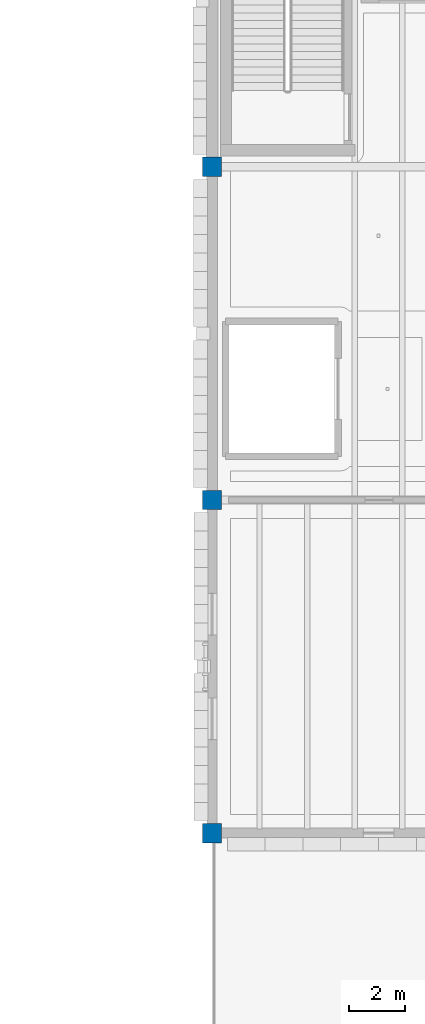
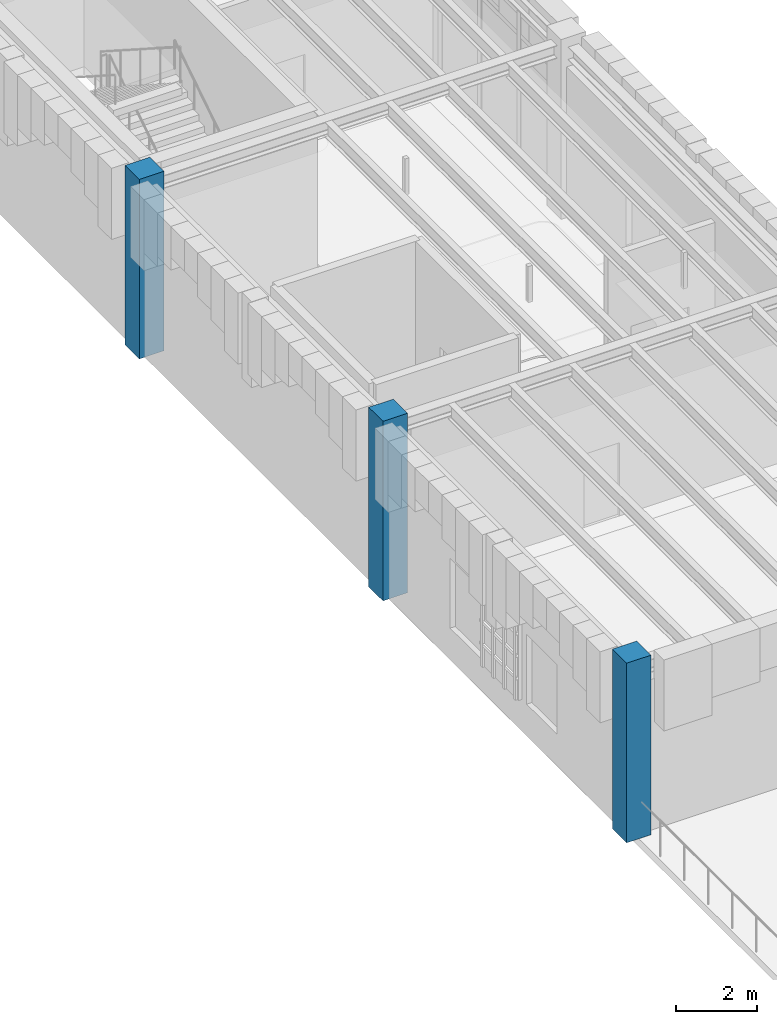
# One storey, part 3 of 100: 3 columns.
"""IFC4 building model written with IfcOpenShell, lengths in metres."""

from ifc_helpers import new_model, si_unit, direction, frame, origin, origin_2d, place, context, subcontext, project, spatial, rectangle, extrude, material, material_profile, profile_set, type_object, element, save


model = new_model("IFC4")

# Units and contexts
model_context = context("Model", 3, precision=1e-05, world=origin(), true_north=direction((0.0, 1.0)))
body_context = subcontext(model_context, "Body", "Model", "MODEL_VIEW")
ifc_project = project(units=[si_unit("LENGTHUNIT", "METRE"), si_unit("AREAUNIT", "SQUARE_METRE"), si_unit("VOLUMEUNIT", "CUBIC_METRE"), si_unit("PLANEANGLEUNIT", "RADIAN"), si_unit("MASSUNIT", "GRAM", prefix="KILO")], contexts=[model_context])

# Site, building, storey
site_placement = place(None, origin())
site = spatial("IfcSite", under=ifc_project, at=site_placement, CompositionType="ELEMENT")
building_placement = place(site_placement, origin())
building = spatial("IfcBuilding", under=site, at=building_placement, Name="Zlatogorsky Bluff Art Gallery", CompositionType="ELEMENT")
storey_placement = place(building_placement, frame((0.0, 0.0, 5.39990234375)))
storey = spatial("IfcBuildingStorey", under=building, at=storey_placement, Name="L01", CompositionType="ELEMENT", Elevation=5.39990234375)

# Columns
ifc_material = material(Name="Concrete C35/45", Category="concrete")
ifc_material_profile = material_profile(ifc_material, rectangle(XDim=0.699951171875, YDim=0.699951171875, at=origin_2d()), Name="RC 700x700")
ifc_profile_set = profile_set([ifc_material_profile], Name="Concrete C35/45")
column_type = type_object("IfcColumnType", Name="Column CL-13 RC 700x700", PredefinedType="COLUMN", material=ifc_profile_set)
for number, where, z_axis, x_axis, name in (
    (1, (120.0, 38.39990234375, 0.0), (0.0, 0.0, 1.0), (1.0, 0.0, 0.0), "Column CL-13 L01 L5"),
    (2, (120.0, 50.39990234375, 0.0), (0.0, 0.0, 1.0), (1.0, 0.0, 0.0), "Column CL-13 L01 L6"),
    (3, (120.0, 62.39990234375, 0.0), (0.0, 0.0, 1.0), (1.0, 0.0, 0.0), "Column CL-13 L01 L7"),
):
    element("IfcColumn", number, at=place(storey_placement, frame(where, z_axis=z_axis, x_axis=x_axis)), inside=storey, type_object=column_type, Name=name, PredefinedType="COLUMN", context=body_context, shape_type="SweptSolid", body=[
        extrude(rectangle(XDim=0.699951171875, YDim=0.699951171875, at=origin_2d()), origin(), (0.0, 0.0, 1.0), 5.400146484375),
    ])

save(model, "model.ifc")
